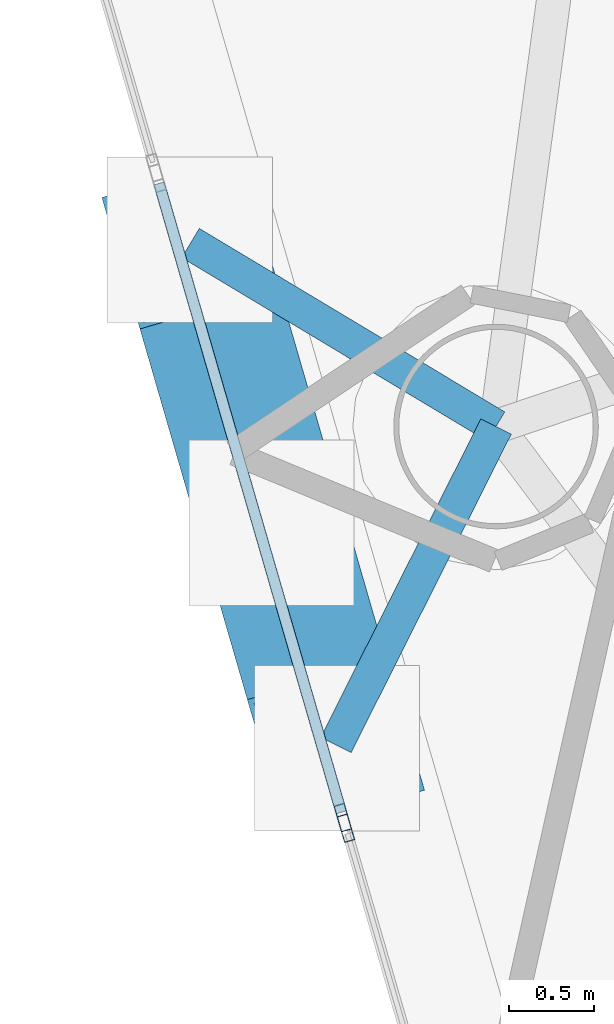
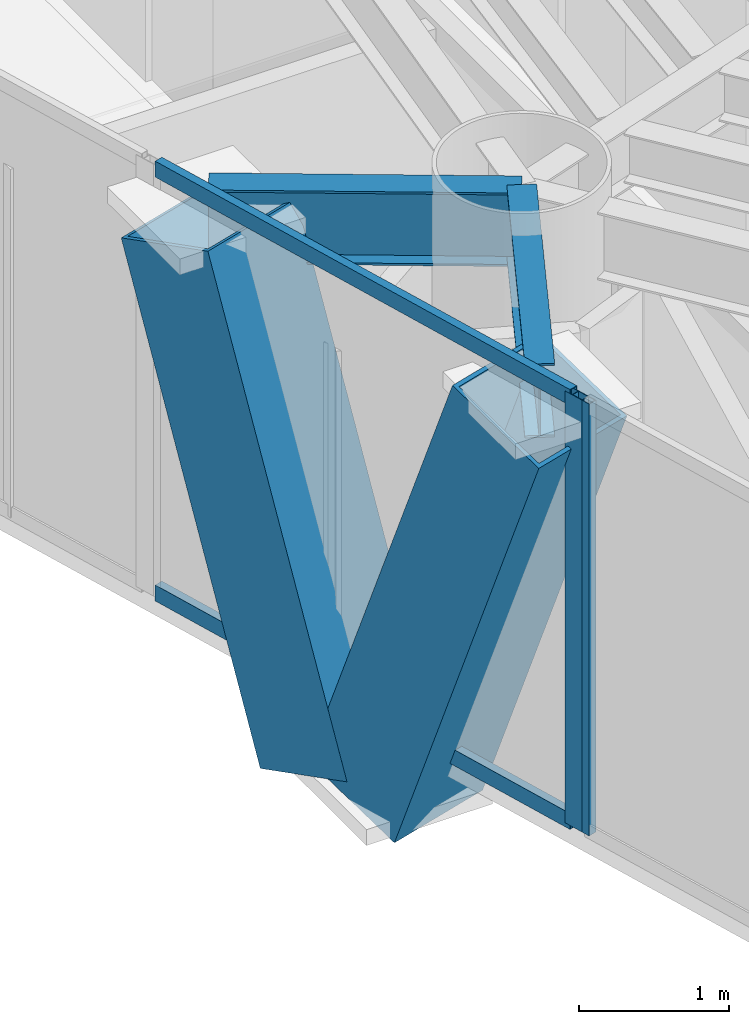
# One storey, part 3 of 23: 6 members, 2 beams, 2 elements without a shape of their own.
"""IFC4 building model written with IfcOpenShell, lengths in metres."""

from ifc_helpers import new_model, si_unit, direction, frame, origin, origin_2d, place, context, subcontext, project, spatial, hollow_rectangle, i_section, extrude, material, layer, layer_set, material_profile, profile_set, type_object, element, aggregate, save


model = new_model("IFC4")

# Units and contexts
model_context = context("Model", 3, precision=1e-05, world=origin(), true_north=direction((0.0, 1.0)))
body_context = subcontext(model_context, "Body", "Model", "MODEL_VIEW")
ifc_project = project(units=[si_unit("LENGTHUNIT", "METRE"), si_unit("AREAUNIT", "SQUARE_METRE"), si_unit("VOLUMEUNIT", "CUBIC_METRE"), si_unit("PLANEANGLEUNIT", "RADIAN"), si_unit("MASSUNIT", "GRAM", prefix="KILO")], contexts=[model_context])

# Site, building, storey
site_placement = place(None, origin())
site = spatial("IfcSite", under=ifc_project, at=site_placement, CompositionType="ELEMENT")
building_placement = place(site_placement, origin())
building = spatial("IfcBuilding", under=site, at=building_placement, Name="Qianvela Tower", CompositionType="ELEMENT")
storey_placement = place(building_placement, frame((0.0, 0.0, 215.10009765625)))
storey = spatial("IfcBuildingStorey", under=building, at=storey_placement, Name="L55", CompositionType="ELEMENT", Elevation=215.10009765625)

# Beams
ifc_material_1 = material(Name="Steel Q355B", Category="steel")
ifc_material_profile_1 = material_profile(ifc_material_1, i_section(OverallWidth=0.199951171875, OverallDepth=0.60009765625, WebThickness=0.010986328125, FlangeThickness=0.01708984375, at=origin_2d()), Name="HN600x200x11x17")
ifc_profile_set_1 = profile_set([ifc_material_profile_1], Name="Steel Q355B")
beam_type = type_object("IfcBeamType", Name="BM-HN600-GIRD", PredefinedType="BEAM", material=ifc_profile_set_1)
for number, where, z_axis, x_axis, name in (
    (1, (24.471923828125, 22.4599609375, 3.218017578125), (-0.857266156077, 0.514873516162, 0.0), (-0.514873516162, -0.857266156077, 0.0), "L55 Mega-Brace Column Tie Bracket F2-1"),
    (2, (24.471923828125, 22.4599609375, 3.218017578125), (-0.449267811991, -0.893397130681, 0.0), (0.893397130681, -0.449267811991, 0.0), "L55 Mega-Brace Column Tie Bracket F2-2"),
):
    element("IfcBeam", number, at=place(storey_placement, frame(where, z_axis=z_axis, x_axis=x_axis)), inside=storey, type_object=beam_type, Name=name, PredefinedType="BEAM", context=body_context, shape_type="SweptSolid", body=[
        extrude(i_section(OverallWidth=0.199951171875, OverallDepth=0.60009765625, WebThickness=0.010986328125, FlangeThickness=0.01708984375, at=origin_2d()), origin(), (0.0, 0.0, 1.0), 2.090576171875),
    ])

# Curtain wall, members
ifc_material_2 = material(Name="Anodised Architectural Aluminium and Insulated Spandrel Panel", Category="aluminium")
ifc_layer_1 = layer(ifc_material_2, 0.179931640625)
ifc_layer_set_1 = layer_set([ifc_layer_1], Name="Anodised Architectural Aluminium and Insulated Spandrel Panel")
curtain_wall_type_1 = type_object("IfcCurtainWallType", Name="CW-BRACEBAY", PredefinedType="USERDEFINED", material=ifc_layer_set_1)
curtain_wall_1_placement = place(storey_placement, origin())
curtain_wall_1 = element("IfcCurtainWall", 3, at=curtain_wall_1_placement, inside=storey, type_object=curtain_wall_type_1, Name="L55 CW-BRACEBAY Curtain Wall 04B", ObjectType="CURTAIN_WALL_SYSTEM", PredefinedType="USERDEFINED")
ifc_material_3 = material(Name="Anodised Architectural Aluminium 6063-T6", Category="aluminium")
ifc_material_profile_2 = material_profile(ifc_material_3, hollow_rectangle(XDim=0.06494140625, YDim=0.159912109375, WallThickness=0.0048828125, at=origin_2d()), Name="ALU-MULL-65x160")
ifc_profile_set_2 = profile_set([ifc_material_profile_2], Name="Anodised Architectural Aluminium 6063-T6")
member_type_1 = type_object("IfcMemberType", Name="CW-BRACEBAY-MULL", PredefinedType="MULLION", material=ifc_profile_set_2)
member_1_placement = place(storey_placement, frame((23.572998046875, 20.166015625, 0.0), z_axis=(0.0, 0.0, 1.0), x_axis=(0.960484909971, 0.278332063761, 0.0)))
member_1 = element("IfcMember", 4, at=member_1_placement, type_object=member_type_1, Name="CW-9 mullion 2", PredefinedType="MULLION", context=body_context, shape_type="SweptSolid", body=[
    extrude(hollow_rectangle(XDim=0.06494140625, YDim=0.159912109375, WallThickness=0.0048828125, at=origin_2d()), origin(), (0.0, 0.0, 1.0), 3.52001953125),
])
ifc_material_4 = material(Name="Anodised Architectural Aluminium 6063-T6", Category="aluminium")
ifc_material_profile_3 = material_profile(ifc_material_4, hollow_rectangle(XDim=0.06494140625, YDim=0.1298828125, WallThickness=0.00439453125, at=origin_2d()), Name="ALU-TRAN-65x130")
ifc_profile_set_3 = profile_set([ifc_material_profile_3], Name="Anodised Architectural Aluminium 6063-T6")
member_type_2 = type_object("IfcMemberType", Name="CW-BRACEBAY-TRAN", PredefinedType="USERDEFINED", material=ifc_profile_set_3)
member_2_placement = place(storey_placement, frame((22.4951171875, 23.8857421875, 0.032470703125), z_axis=(0.278329750503, -0.960485580311, 0.0), x_axis=(0.960485580311, 0.278329750503, 0.0)))
member_2 = element("IfcMember", 5, at=member_2_placement, type_object=member_type_2, Name="CW-9 transom 1.1", ObjectType="TRANSOM", PredefinedType="USERDEFINED", context=body_context, shape_type="SweptSolid", body=[
    extrude(hollow_rectangle(XDim=0.06494140625, YDim=0.1298828125, WallThickness=0.00439453125, at=origin_2d()), origin(), (0.0, 0.0, 1.0), 3.84033203125),
])
member_3_placement = place(storey_placement, frame((22.4951171875, 23.8857421875, 3.4873046875), z_axis=(0.278329750503, -0.960485580311, 0.0), x_axis=(0.960485580311, 0.278329750503, 0.0)))
member_3 = element("IfcMember", 6, at=member_3_placement, type_object=member_type_2, Name="CW-9 transom 1.2", ObjectType="TRANSOM", PredefinedType="USERDEFINED", context=body_context, shape_type="SweptSolid", body=[
    extrude(hollow_rectangle(XDim=0.06494140625, YDim=0.1298828125, WallThickness=0.00439453125, at=origin_2d()), origin(), (0.0, 0.0, 1.0), 3.84033203125),
])
aggregate(curtain_wall_1, [member_1, member_2, member_3])

# Curtain wall, member
ifc_material_5 = material(Name="Anodised Architectural Aluminium and Low-E Glass", Category="aluminium")
ifc_layer_2 = layer(ifc_material_5, 0.159912109375)
ifc_layer_set_2 = layer_set([ifc_layer_2], Name="Anodised Architectural Aluminium and Low-E Glass")
curtain_wall_type_2 = type_object("IfcCurtainWallType", Name="CW-COLIV-Z56", PredefinedType="USERDEFINED", material=ifc_layer_set_2)
curtain_wall_2_placement = place(storey_placement, origin())
curtain_wall_2 = element("IfcCurtainWall", 7, at=curtain_wall_2_placement, inside=storey, type_object=curtain_wall_type_2, Name="L55 CW-COLIV-Z56 Curtain Wall 04C", ObjectType="CURTAIN_WALL_SYSTEM", PredefinedType="USERDEFINED")
ifc_material_6 = material(Name="Anodised Architectural Aluminium 6063-T6", Category="aluminium")
ifc_material_profile_4 = material_profile(ifc_material_6, hollow_rectangle(XDim=0.06494140625, YDim=0.159912109375, WallThickness=0.0048828125, at=origin_2d()), Name="ALU-MULL-65x160")
ifc_profile_set_4 = profile_set([ifc_material_profile_4], Name="Anodised Architectural Aluminium 6063-T6")
member_type_3 = type_object("IfcMemberType", Name="CW-COLIV-Z56-MULL", PredefinedType="MULLION", material=ifc_profile_set_4)
member_4_placement = place(storey_placement, frame((23.591064453125, 20.103759765625, 0.0), z_axis=(0.0, 0.0, 1.0), x_axis=(0.960487819106, 0.278322024548, 0.0)))
member_4 = element("IfcMember", 8, at=member_4_placement, type_object=member_type_3, Name="CW-5 mullion 1", PredefinedType="MULLION", context=body_context, shape_type="SweptSolid", body=[
    extrude(hollow_rectangle(XDim=0.06494140625, YDim=0.159912109375, WallThickness=0.0048828125, at=origin_2d()), origin(), (0.0, 0.0, 1.0), 3.52001953125),
])
aggregate(curtain_wall_2, [member_4])

# Members
ifc_material_7 = material(Name="Steel Q420GJC", Category="steel")
ifc_material_profile_5 = material_profile(ifc_material_7, hollow_rectangle(XDim=0.85009765625, YDim=0.85009765625, WallThickness=0.031982421875, at=origin_2d()), Name="MBOX-850x850x32")
ifc_profile_set_5 = profile_set([ifc_material_profile_5], Name="Steel Q420GJC")
member_type_4 = type_object("IfcMemberType", Name="MBR-MBRACE-850", PredefinedType="BRACE", material=ifc_profile_set_5)
member_5_placement = place(storey_placement, frame((23.0380859375, 22.29931640625, -0.482177734375), z_axis=(-0.091476364481, 0.315743010098, 0.944424918305), x_axis=(-0.960501618565, -0.278274398274, 0.0)))
element("IfcMember", 9, at=member_5_placement, inside=storey, type_object=member_type_4, Name="L55 Tier 9 Exterior Mega-Brace F2A", PredefinedType="BRACE", context=body_context, shape_type="SweptSolid", body=[
    extrude(hollow_rectangle(XDim=0.85009765625, YDim=0.85009765625, WallThickness=0.031982421875, at=origin_2d()), origin(), (0.0, 0.0, 1.0), 3.91796875),
])
member_6_placement = place(storey_placement, frame((23.16064453125, 21.876708984375, -0.482177734375), z_axis=(0.094568126204, -0.326458603648, 0.940468845635), x_axis=(0.9605116338, 0.278239827012, 0.0)))
element("IfcMember", 10, at=member_6_placement, inside=storey, type_object=member_type_4, Name="L55 Tier 9 Exterior Mega-Brace F2B", PredefinedType="BRACE", context=body_context, shape_type="SweptSolid", body=[
    extrude(hollow_rectangle(XDim=0.85009765625, YDim=0.85009765625, WallThickness=0.031982421875, at=origin_2d()), origin(), (0.0, 0.0, 1.0), 3.934326171875),
])

save(model, "model.ifc")
